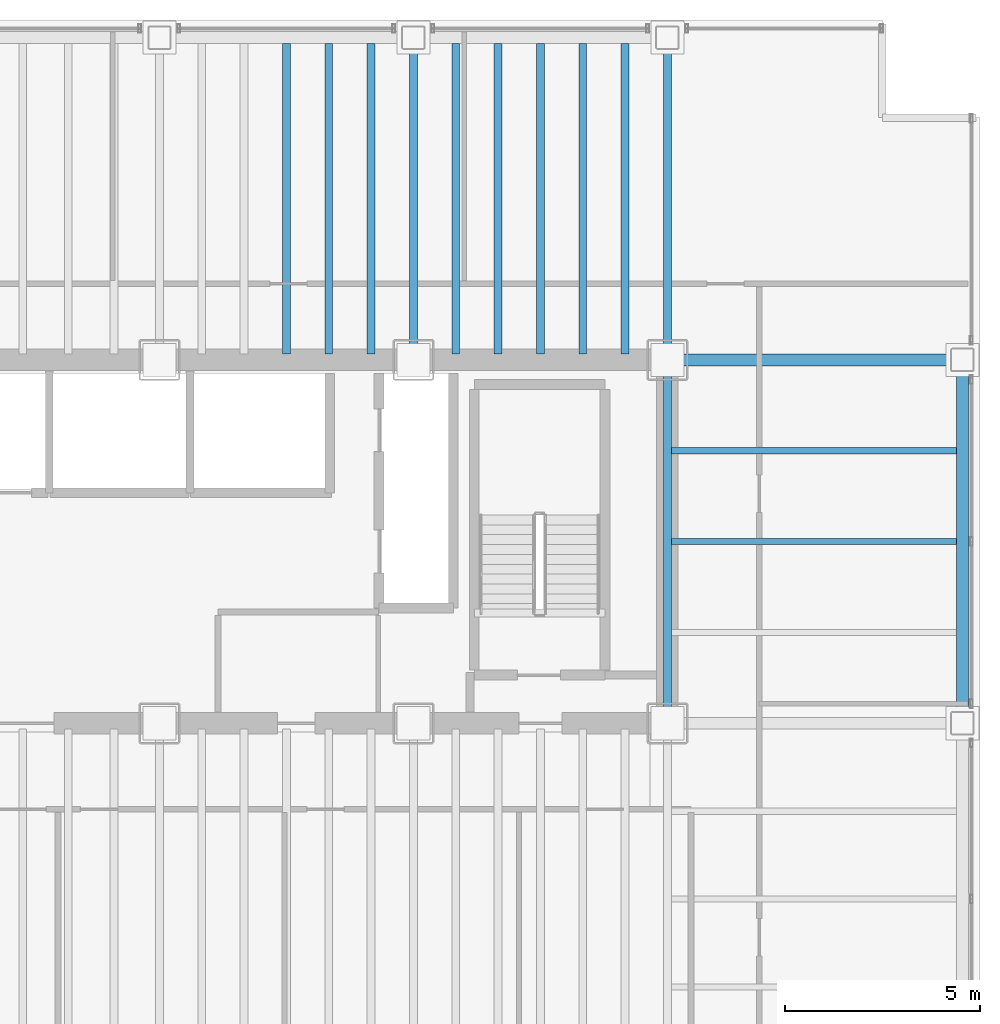
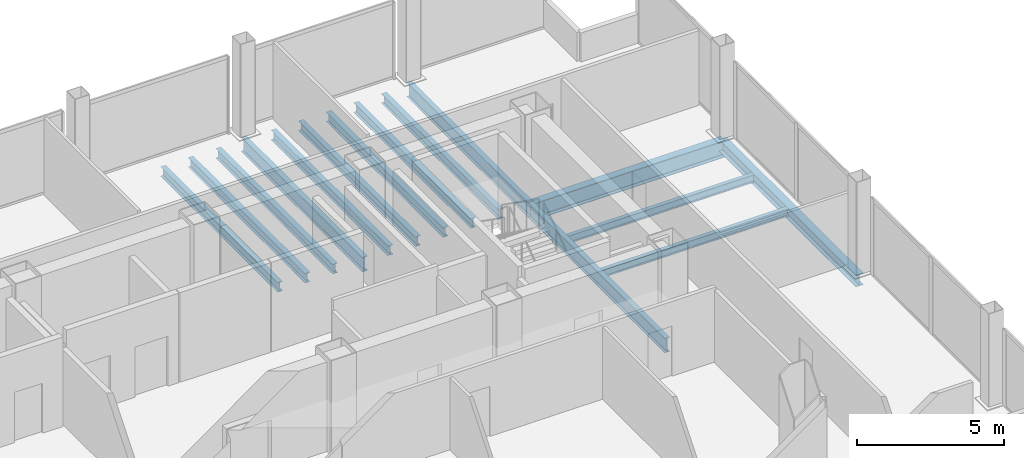
# One storey, part 12 of 21: 15 beams.
"""IFC4 building model written with IfcOpenShell, lengths in metres."""

from ifc_helpers import new_model, si_unit, direction, frame, origin, origin_2d, place, context, subcontext, project, spatial, i_section, extrude, material, material_profile, profile_set, type_object, element, save


model = new_model("IFC4")

# Units and contexts
model_context = context("Model", 3, precision=1e-05, world=origin(), true_north=direction((0.0, 1.0)))
body_context = subcontext(model_context, "Body", "Model", "MODEL_VIEW")
ifc_project = project(units=[si_unit("LENGTHUNIT", "METRE"), si_unit("AREAUNIT", "SQUARE_METRE"), si_unit("VOLUMEUNIT", "CUBIC_METRE"), si_unit("PLANEANGLEUNIT", "RADIAN"), si_unit("MASSUNIT", "GRAM", prefix="KILO")], contexts=[model_context])

# Site, building, storey
site_placement = place(None, origin())
site = spatial("IfcSite", under=ifc_project, at=site_placement, CompositionType="ELEMENT")
building_placement = place(site_placement, origin())
building = spatial("IfcBuilding", under=site, at=building_placement, Name="Noeulbin Bourse Tower", CompositionType="ELEMENT")
storey_placement = place(building_placement, frame((0.0, 0.0, 42.10009765625)))
storey = spatial("IfcBuildingStorey", under=building, at=storey_placement, Name="L10", CompositionType="ELEMENT", Elevation=42.10009765625)

# Beams
ifc_material = material(Name="Steel S355", Category="steel")
ifc_material_profile_1 = material_profile(ifc_material, i_section(OverallWidth=0.199951171875, OverallDepth=0.60009765625, WebThickness=0.010986328125, FlangeThickness=0.01708984375, FilletRadius=0.02197265625, at=origin_2d()), Name="H-600x200x11x17", Category="LoadBearing")
ifc_profile_set_1 = profile_set([ifc_material_profile_1], Name="Steel S355")
beam_type_1 = type_object("IfcBeamType", Name="BM-GRD-600", PredefinedType="USERDEFINED", material=ifc_profile_set_1)
beam_1_placement = place(storey_placement, frame((37.5, 38.300048828125, -0.47998046875), z_axis=(0.0, 1.0, 0.0), x_axis=(-1.0, 0.0, 0.0)))
element("IfcBeam", 1, at=beam_1_placement, inside=storey, type_object=beam_type_1, Name="Tower Primary Girder NS L10-4.4", ObjectType="GIRDER", PredefinedType="USERDEFINED", context=body_context, shape_type="SweptSolid", body=[
    extrude(i_section(OverallWidth=0.199951171875, OverallDepth=0.60009765625, WebThickness=0.010986328125, FlangeThickness=0.01708984375, FilletRadius=0.02197265625, at=origin_2d()), origin(), (0.0, 0.0, 1.0), 8.25),
])
beam_2_placement = place(storey_placement, frame((44.0, 29.0, -0.47998046875), z_axis=(0.0, 1.0, 0.0), x_axis=(-1.0, 0.0, 0.0)))
element("IfcBeam", 2, at=beam_2_placement, inside=storey, type_object=beam_type_1, Name="Tower Primary Girder NS L10-5.3", ObjectType="GIRDER", PredefinedType="USERDEFINED", context=body_context, shape_type="SweptSolid", body=[
    extrude(i_section(OverallWidth=0.199951171875, OverallDepth=0.60009765625, WebThickness=0.010986328125, FlangeThickness=0.01708984375, FilletRadius=0.02197265625, at=origin_2d()), origin(), (0.0, 0.0, 1.0), 9.300048828125),
])
beam_3_placement = place(storey_placement, frame((44.0, 38.300048828125, -0.47998046875), z_axis=(0.0, 1.0, 0.0), x_axis=(-1.0, 0.0, 0.0)))
element("IfcBeam", 3, at=beam_3_placement, inside=storey, type_object=beam_type_1, Name="Tower Primary Girder NS L10-5.4", ObjectType="GIRDER", PredefinedType="USERDEFINED", context=body_context, shape_type="SweptSolid", body=[
    extrude(i_section(OverallWidth=0.199951171875, OverallDepth=0.60009765625, WebThickness=0.010986328125, FlangeThickness=0.01708984375, FilletRadius=0.02197265625, at=origin_2d()), origin(), (0.0, 0.0, 1.0), 8.25),
])
ifc_material_profile_2 = material_profile(ifc_material, i_section(OverallWidth=0.300048828125, OverallDepth=0.699951171875, WebThickness=0.012939453125, FlangeThickness=0.02392578125, FilletRadius=0.02392578125, at=origin_2d()), Name="H-700x300x13x24", Category="LoadBearing")
ifc_profile_set_2 = profile_set([ifc_material_profile_2], Name="Steel S355")
beam_type_2 = type_object("IfcBeamType", Name="BM-GRD-700", PredefinedType="USERDEFINED", material=ifc_profile_set_2)
beam_4_placement = place(storey_placement, frame((44.0, 38.300048828125, -0.530029296875), z_axis=(1.0, 0.0, 0.0), x_axis=(0.0, 1.0, 0.0)))
element("IfcBeam", 4, at=beam_4_placement, inside=storey, type_object=beam_type_2, Name="Tower Primary Girder EW L10-3.6", ObjectType="GIRDER", PredefinedType="USERDEFINED", context=body_context, shape_type="SweptSolid", body=[
    extrude(i_section(OverallWidth=0.300048828125, OverallDepth=0.699951171875, WebThickness=0.012939453125, FlangeThickness=0.02392578125, FilletRadius=0.02392578125, at=origin_2d()), origin(), (0.0, 0.0, 1.0), 7.550048828125),
])
ifc_material_profile_3 = material_profile(ifc_material, i_section(OverallWidth=0.159912109375, OverallDepth=0.320068359375, WebThickness=0.006591796875, FlangeThickness=0.010009765625, FilletRadius=0.012939453125, at=origin_2d()), Name="H-320x160x6.5x10", Category="LoadBearing")
ifc_profile_set_3 = profile_set([ifc_material_profile_3], Name="Steel S355")
beam_type_3 = type_object("IfcBeamType", Name="BM-JST-320", PredefinedType="JOIST", material=ifc_profile_set_3)
for number, where, z_axis, x_axis, name in (
    (5, (44.10009765625, 33.64990234375, -0.340087890625), (1.0, 0.0, 0.0), (0.0, 1.0, 0.0), "Wing Composite Joist L10-E80"),
    (6, (44.10009765625, 35.97509765625, -0.340087890625), (1.0, 0.0, 0.0), (0.0, 1.0, 0.0), "Wing Composite Joist L10-E81"),
):
    element("IfcBeam", number, at=place(storey_placement, frame(where, z_axis=z_axis, x_axis=x_axis)), inside=storey, type_object=beam_type_3, Name=name, PredefinedType="JOIST", context=body_context, shape_type="SweptSolid", body=[
        extrude(i_section(OverallWidth=0.159912109375, OverallDepth=0.320068359375, WebThickness=0.006591796875, FlangeThickness=0.010009765625, FilletRadius=0.012939453125, at=origin_2d()), origin(), (0.0, 0.0, 1.0), 7.2998046875),
    ])
ifc_material_profile_4 = material_profile(ifc_material, i_section(OverallWidth=0.199951171875, OverallDepth=0.39990234375, WebThickness=0.008056640625, FlangeThickness=0.012939453125, FilletRadius=0.01611328125, at=origin_2d()), Name="H-400x200x8x13", Category="LoadBearing")
ifc_profile_set_4 = profile_set([ifc_material_profile_4], Name="Steel S355")
beam_type_4 = type_object("IfcBeamType", Name="BM-SEC-400", PredefinedType="BEAM", material=ifc_profile_set_4)
for number, where, z_axis, x_axis, name in (
    (7, (34.25, 38.449951171875, -0.380126953125), (0.0, 1.0, 0.0), (-1.0, 0.0, 0.0), "Tower Composite Joist L10-48"),
    (8, (35.333251953125, 38.449951171875, -0.380126953125), (0.0, 1.0, 0.0), (-1.0, 0.0, 0.0), "Tower Composite Joist L10-51"),
    (9, (36.416748046875, 38.449951171875, -0.380126953125), (0.0, 1.0, 0.0), (-1.0, 0.0, 0.0), "Tower Composite Joist L10-54"),
    (10, (38.583251953125, 38.449951171875, -0.380126953125), (0.0, 1.0, 0.0), (-1.0, 0.0, 0.0), "Tower Composite Joist L10-57"),
    (11, (39.666748046875, 38.449951171875, -0.380126953125), (0.0, 1.0, 0.0), (-1.0, 0.0, 0.0), "Tower Composite Joist L10-60"),
    (12, (40.75, 38.449951171875, -0.380126953125), (0.0, 1.0, 0.0), (-1.0, 0.0, 0.0), "Tower Composite Joist L10-63"),
    (13, (41.833251953125, 38.449951171875, -0.380126953125), (0.0, 1.0, 0.0), (-1.0, 0.0, 0.0), "Tower Composite Joist L10-66"),
    (14, (42.916748046875, 38.449951171875, -0.380126953125), (0.0, 1.0, 0.0), (-1.0, 0.0, 0.0), "Tower Composite Joist L10-69"),
):
    element("IfcBeam", number, at=place(storey_placement, frame(where, z_axis=z_axis, x_axis=x_axis)), inside=storey, type_object=beam_type_4, Name=name, PredefinedType="BEAM", context=body_context, shape_type="SweptSolid", body=[
        extrude(i_section(OverallWidth=0.199951171875, OverallDepth=0.39990234375, WebThickness=0.008056640625, FlangeThickness=0.012939453125, FilletRadius=0.01611328125, at=origin_2d()), origin(), (0.0, 0.0, 1.0), 7.949951171875),
    ])
ifc_material_profile_5 = material_profile(ifc_material, i_section(OverallWidth=0.300048828125, OverallDepth=0.488037109375, WebThickness=0.010986328125, FlangeThickness=0.01806640625, FilletRadius=0.02197265625, at=origin_2d()), Name="H-488x300x11x18", Category="LoadBearing")
ifc_profile_set_5 = profile_set([ifc_material_profile_5], Name="Steel S355")
beam_type_5 = type_object("IfcBeamType", Name="BM-SPN-488", PredefinedType="SPANDREL", material=ifc_profile_set_5)
beam_5_placement = place(storey_placement, frame((51.550048828125, 29.0, -0.424072265625), z_axis=(0.0, 1.0, 0.0), x_axis=(-1.0, 0.0, 0.0)))
element("IfcBeam", 15, at=beam_5_placement, inside=storey, type_object=beam_type_5, Name="East Spandrel L10-2", PredefinedType="SPANDREL", context=body_context, shape_type="SweptSolid", body=[
    extrude(i_section(OverallWidth=0.300048828125, OverallDepth=0.488037109375, WebThickness=0.010986328125, FlangeThickness=0.01806640625, FilletRadius=0.02197265625, at=origin_2d()), origin(), (0.0, 0.0, 1.0), 9.300048828125),
])

save(model, "model.ifc")
